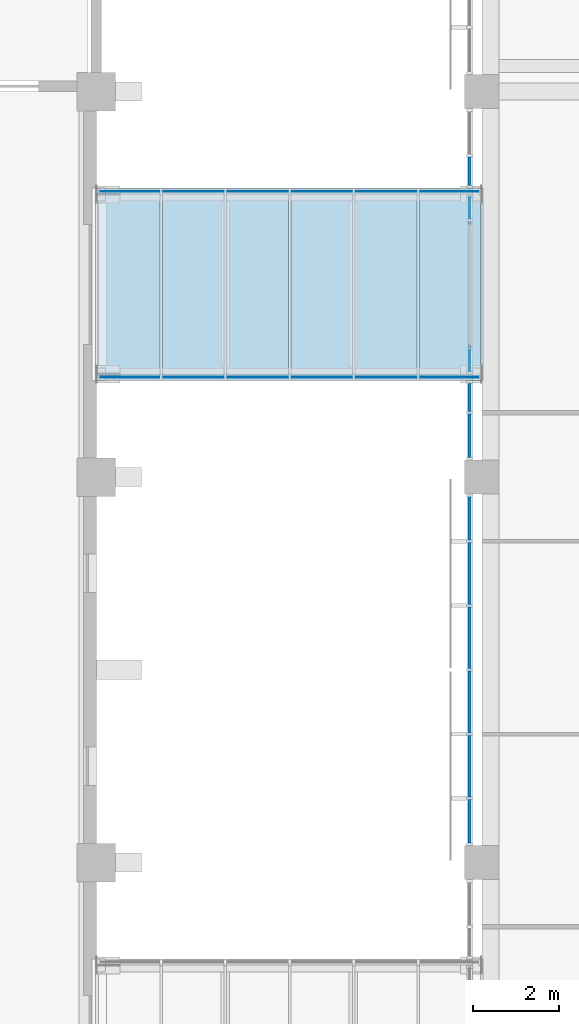
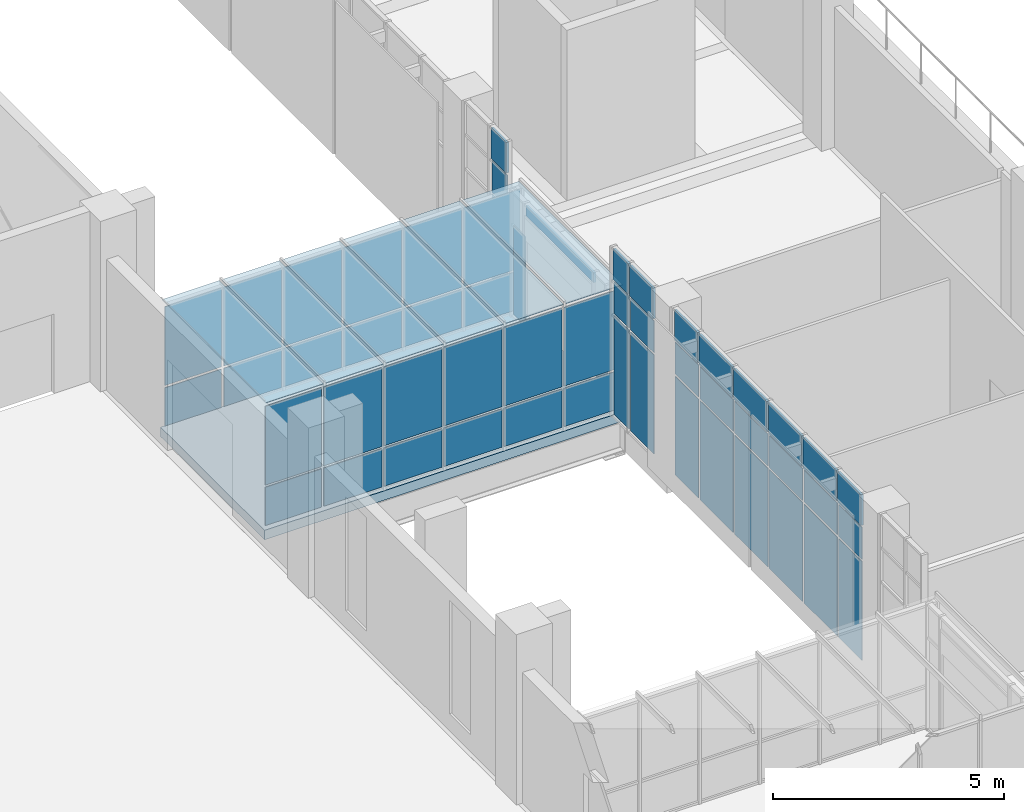
# One storey, part 45 of 88: 60 plates, 1 slab, 7 elements without a shape of their own.
"""IFC4 building model written with IfcOpenShell, lengths in metres."""

import ifcopenshell
import ifcopenshell.guid

model = None  # the IFC model being written
_history = None  # IfcOwnerHistory: only IFC2X3 demands one
_inside = {}  # id of a spatial element -> (the spatial element, [elements in it])
_under = {}  # id of a project, library or spatial element -> (it, [spatial elements below it])
_declared = {}  # id of a project -> (the project, [libraries it declares])
_typed = {}  # id of a type object -> (the type object, [elements of that type])
_made_of = {}  # id of a material, layer set ... -> (it, [elements and type objects made of it])


def new_model(schema):
    """Start an empty IFC model of exactly this schema.

    Asked for "IFC4X3", IfcOpenShell would pick the latest addendum, in which some entities
    have other attributes; the version numbers below select the first issue.
    IFC2X3 requires an IfcOwnerHistory on every rooted entity: one is made here for all.
    """
    global model, _history
    if schema == "IFC4X3":
        model = ifcopenshell.file(schema_version=(4, 3, 0, 0))
    else:
        model = ifcopenshell.file(schema=schema)
    _inside.clear()
    _under.clear()
    _declared.clear()
    _typed.clear()
    _made_of.clear()
    _history = None
    if model.schema == "IFC2X3":
        org = make("IfcOrganization", Name="unknown")
        user = make(
            "IfcPersonAndOrganization",
            ThePerson=make("IfcPerson", FamilyName="unknown"),
            TheOrganization=org,
        )
        app = make(
            "IfcApplication",
            ApplicationDeveloper=org,
            Version="unknown",
            ApplicationFullName="unknown",
            ApplicationIdentifier="unknown",
        )
        _history = make(
            "IfcOwnerHistory",
            OwningUser=user,
            OwningApplication=app,
            ChangeAction="ADDED",
            CreationDate=0,
        )
    return model


def make(cls, **values):
    """One entity of the class cls with the attributes given. An attribute that is None is left unset."""
    return model.create_entity(
        cls, **{name: value for name, value in values.items() if value is not None}
    )


def rooted(cls, **values):
    """An entity with a GlobalId (a new one), such as an element, a storey or a relation."""
    return make(cls, GlobalId=ifcopenshell.guid.new(), OwnerHistory=_history, **values)


def si_unit(unit_type, name, prefix=None):
    """IfcSIUnit, for example si_unit("LENGTHUNIT", "METRE", prefix="MILLI")."""
    return make("IfcSIUnit", UnitType=unit_type, Prefix=prefix, Name=name)


def assignment(units):
    """IfcUnitAssignment: the units of a project."""
    return None if units is None else make("IfcUnitAssignment", Units=units)


def point(xyz):
    """IfcCartesianPoint."""
    return None if xyz is None else make("IfcCartesianPoint", Coordinates=xyz)


def direction(xyz):
    """IfcDirection."""
    return None if xyz is None else make("IfcDirection", DirectionRatios=xyz)


def frame(location, z_axis=None, x_axis=None):
    """IfcAxis2Placement3D, a coordinate frame: its origin and axes. An axis left out is left unset."""
    return make(
        "IfcAxis2Placement3D",
        Location=point(location),
        Axis=direction(z_axis),
        RefDirection=direction(x_axis),
    )


def frame_2d(location, x_axis=None):
    """IfcAxis2Placement2D, a coordinate frame in the plane: its origin and x axis."""
    return make(
        "IfcAxis2Placement2D", Location=point(location), RefDirection=direction(x_axis)
    )


def origin():
    """The frame at (0, 0, 0) with its axes left unset."""
    return frame((0.0, 0.0, 0.0))


def origin_2d():
    """The frame at (0, 0) in the plane with its x axis left unset."""
    return frame_2d((0.0, 0.0))


def place(relative_to, where):
    """IfcLocalPlacement: puts the frame where relative to a parent placement (None: the world)."""
    return make(
        "IfcLocalPlacement", PlacementRelTo=relative_to, RelativePlacement=where
    )


def context(
    kind, dimensions, precision=None, world=None, true_north=None, identifier=None
):
    """IfcGeometricRepresentationContext, for example the 3D "Model" context."""
    return make(
        "IfcGeometricRepresentationContext",
        ContextIdentifier=identifier,
        ContextType=kind,
        CoordinateSpaceDimension=dimensions,
        Precision=precision,
        WorldCoordinateSystem=world,
        TrueNorth=true_north,
    )


def subcontext(parent, identifier, kind, view, scale=None):
    """IfcGeometricRepresentationSubContext, for example "Body" below "Model"."""
    return make(
        "IfcGeometricRepresentationSubContext",
        ContextIdentifier=identifier,
        ContextType=kind,
        ParentContext=parent,
        TargetScale=scale,
        TargetView=view,
    )


def project(units=None, contexts=None):
    """IfcProject with its units and contexts."""
    return rooted(
        "IfcProject",
        Name="project",
        RepresentationContexts=contexts,
        UnitsInContext=assignment(units),
    )


def spatial(cls, under=None, at=None, **own):
    """A site, building, storey or space (cls), placed at a placement, below another one or the project."""
    s = rooted(cls, ObjectPlacement=at, **own)
    if under is not None:
        _under.setdefault(under.id(), (under, []))[1].append(s)
    return s


def polyline(points):
    """IfcPolyline through the points."""
    return make("IfcPolyline", Points=[point(p) for p in points])


def profile(cls, at=None, kind="AREA", **sizes):
    """A parametric profile (cls). Its sizes go by their IFC names, for example OverallWidth=200.0."""
    return make(cls, ProfileType=kind, Position=at, **sizes)


def rectangle(**sizes):
    """IfcRectangleProfileDef."""
    return profile("IfcRectangleProfileDef", **sizes)


def outline(outer, holes=None, kind="AREA"):
    """IfcArbitraryClosedProfileDef: a profile drawn as a closed curve; with holes, ...WithVoids."""
    if holes is None:
        return make("IfcArbitraryClosedProfileDef", ProfileType=kind, OuterCurve=outer)
    return make(
        "IfcArbitraryProfileDefWithVoids",
        ProfileType=kind,
        OuterCurve=outer,
        InnerCurves=holes,
    )


def extrude(swept, where, along, depth):
    """IfcExtrudedAreaSolid: the profile swept, set in the frame where, extruded along a direction by depth."""
    return make(
        "IfcExtrudedAreaSolid",
        SweptArea=swept,
        Position=where,
        ExtrudedDirection=direction(along),
        Depth=depth,
    )


def shape(context_of_items, identifier, shape_type, items):
    """IfcShapeRepresentation: the items that make up one representation, for example the "Body"."""
    return make(
        "IfcShapeRepresentation",
        ContextOfItems=context_of_items,
        RepresentationIdentifier=identifier,
        RepresentationType=shape_type,
        Items=items,
    )


def material(Name=None, Category=None):
    """IfcMaterial."""
    return make("IfcMaterial", Name=Name, Category=Category)


def layer(
    of_material, thickness, ventilated=None, Name=None, Category=None, Priority=None
):
    """IfcMaterialLayer: one layer of a wall or slab, of a material (None: an air gap)."""
    return make(
        "IfcMaterialLayer",
        Material=of_material,
        LayerThickness=thickness,
        IsVentilated=ventilated,
        Name=Name,
        Category=Category,
        Priority=Priority,
    )


def layer_set(layers, Name=None):
    """IfcMaterialLayerSet."""
    return make("IfcMaterialLayerSet", MaterialLayers=layers, LayerSetName=Name)


def made_of(thing, what):
    """Note that an element or type object is made of a material, layer set ...; save() writes the relation."""
    if what is not None:
        _made_of.setdefault(what.id(), (what, []))[1].append(thing)
    return thing


def type_object(cls, material=None, **own):
    """A type object (cls), such as IfcWallType, which elements share."""
    return made_of(rooted(cls, **own), material)


def element(
    cls,
    number,
    at=None,
    inside=None,
    cuts=None,
    type_object=None,
    material=None,
    context=None,
    identifier="Body",
    shape_type=None,
    held_by="IfcProductDefinitionShape",
    body=None,
    shapes=None,
    **own,
):
    """One element of the class cls, such as IfcWall. Its Tag is "e" and its number.

    at: its placement. inside: the storey or other place that contains it. cuts: it is an
    opening in that element (IfcRelVoidsElement). A single representation is given by context,
    identifier, shape_type and body (its items); several are given by shapes. held_by: the class
    of the entity that holds the representations. save() writes the other relations.
    """
    e = rooted(cls, Tag="e%d" % number, ObjectPlacement=at, **own)
    if body is not None:
        shapes = [shape(context, identifier, shape_type, body)]
    if shapes is not None:
        e.Representation = make(held_by, Representations=shapes)
    if inside is not None:
        _inside.setdefault(inside.id(), (inside, []))[1].append(e)
    if cuts is not None:
        rooted(
            "IfcRelVoidsElement", RelatingBuildingElement=cuts, RelatedOpeningElement=e
        )
    if type_object is not None:
        _typed.setdefault(type_object.id(), (type_object, []))[1].append(e)
    return made_of(e, material)


def aggregate(whole, parts):
    """IfcRelAggregates: a whole, such as a stair, and the parts it consists of."""
    return rooted("IfcRelAggregates", RelatingObject=whole, RelatedObjects=parts)


def save(model, path):
    """Write the relations noted so far, then the file.

    IfcRelAggregates (storeys below a building ...), IfcRelContainedInSpatialStructure (elements
    in a storey), IfcRelDefinesByType, IfcRelAssociatesMaterial and IfcRelDeclares: one each for
    every whole, place, type object, material and project.
    """
    for whole, parts in _under.values():
        aggregate(whole, parts)
    for where, things in _inside.values():
        rooted(
            "IfcRelContainedInSpatialStructure",
            RelatedElements=things,
            RelatingStructure=where,
        )
    for kind, things in _typed.values():
        rooted("IfcRelDefinesByType", RelatedObjects=things, RelatingType=kind)
    for what, things in _made_of.values():
        rooted("IfcRelAssociatesMaterial", RelatedObjects=things, RelatingMaterial=what)
    for by, libraries in _declared.values():
        rooted("IfcRelDeclares", RelatingContext=by, RelatedDefinitions=libraries)
    model.write(path)


model = new_model("IFC4")

# Units and contexts
model_context = context("Model", 3, precision=1e-05, world=origin(), true_north=direction((0.0, 1.0)))
body_context = subcontext(model_context, "Body", "Model", "MODEL_VIEW")
ifc_project = project(units=[si_unit("LENGTHUNIT", "METRE"), si_unit("AREAUNIT", "SQUARE_METRE"), si_unit("VOLUMEUNIT", "CUBIC_METRE"), si_unit("PLANEANGLEUNIT", "RADIAN"), si_unit("MASSUNIT", "GRAM", prefix="KILO")], contexts=[model_context])

# Site, building, storey
site_placement = place(None, origin())
site = spatial("IfcSite", under=ifc_project, at=site_placement, CompositionType="ELEMENT")
building_placement = place(site_placement, origin())
building = spatial("IfcBuilding", under=site, at=building_placement, Name="Guidao Yard Department Store", CompositionType="ELEMENT")
storey_placement = place(building_placement, frame((0.0, 0.0, 6.0)))
storey = spatial("IfcBuildingStorey", under=building, at=storey_placement, Name="L01", CompositionType="ELEMENT", Elevation=6.0)

# Slab
ifc_material_1 = material(Name="Concrete C35", Category="concrete")
ifc_layer_1 = layer(ifc_material_1, 0.25)
ifc_layer_set_1 = layer_set([ifc_layer_1], Name="Bridge deck slab 250 C35")
slab_type = type_object("IfcSlabType", Name="Bridge deck slab 250 C35", PredefinedType="FLOOR", material=ifc_layer_set_1)
slab_placement = place(storey_placement, frame((0.0, 0.0, -0.25)))
element("IfcSlab", 1, at=slab_placement, inside=storey, type_object=slab_type, Name="Slab BR02", PredefinedType="FLOOR", context=body_context, shape_type="SweptSolid", body=[
    extrude(outline(polyline([(63.014892578125, 74.25), (63.014892578125, 78.75), (72.0, 78.75), (72.0, 74.25), (63.014892578125, 74.25)])), origin(), (0.0, 0.0, 1.0), 0.25),
])

# Curtain wall, plates
ifc_material_2 = material(Name="Aluminium and glass", Category="aluminium")
ifc_layer_2 = layer(ifc_material_2, 0.159912109375)
ifc_layer_set_2 = layer_set([ifc_layer_2], Name="Bridge glazing CW5 1500 module")
curtain_wall_type_1 = type_object("IfcCurtainWallType", Name="Bridge glazing CW5 1500 module", PredefinedType="NOTDEFINED", material=ifc_layer_set_2)
curtain_wall_1_placement = place(storey_placement, origin())
curtain_wall_1 = element("IfcCurtainWall", 2, at=curtain_wall_1_placement, inside=storey, type_object=curtain_wall_type_1, Name="Bridge roof glazing BR02", PredefinedType="NOTDEFINED")
ifc_material_3 = material(Name="Laminated glass", Category="glass")
ifc_layer_3 = layer(ifc_material_3, 0.017578125)
ifc_layer_set_3 = layer_set([ifc_layer_3], Name="Bridge roof glass BG1 laminated 8+8 fritted")
plate_type_1 = type_object("IfcPlateType", Name="Bridge roof glass BG1 laminated 8+8 fritted", PredefinedType="CURTAIN_PANEL", material=ifc_layer_set_3)
plate_1_placement = place(storey_placement, frame((63.764892578125, 76.5, 3.34130859375), z_axis=(0.0, 0.0, 1.0), x_axis=(1.0, 0.0, 0.0)))
plate_1 = element("IfcPlate", 3, at=plate_1_placement, type_object=plate_type_1, Name="Bridge roof glass BR02", PredefinedType="CURTAIN_PANEL", context=body_context, shape_type="SweptSolid", body=[
    extrude(rectangle(XDim=1.43994140625, YDim=4.5, at=origin_2d()), origin(), (0.0, 0.0, 1.0), 0.017578125),
])
plate_2_placement = place(storey_placement, frame((65.264892578125, 76.5, 3.34130859375), z_axis=(0.0, 0.0, 1.0), x_axis=(1.0, 0.0, 0.0)))
plate_2 = element("IfcPlate", 4, at=plate_2_placement, type_object=plate_type_1, Name="Bridge roof glass BR02", PredefinedType="CURTAIN_PANEL", context=body_context, shape_type="SweptSolid", body=[
    extrude(rectangle(XDim=1.43994140625, YDim=4.5, at=origin_2d()), origin(), (0.0, 0.0, 1.0), 0.017578125),
])
plate_3_placement = place(storey_placement, frame((66.764892578125, 76.5, 3.34130859375), z_axis=(0.0, 0.0, 1.0), x_axis=(1.0, 0.0, 0.0)))
plate_3 = element("IfcPlate", 5, at=plate_3_placement, type_object=plate_type_1, Name="Bridge roof glass BR02", PredefinedType="CURTAIN_PANEL", context=body_context, shape_type="SweptSolid", body=[
    extrude(rectangle(XDim=1.43994140625, YDim=4.5, at=origin_2d()), origin(), (0.0, 0.0, 1.0), 0.017578125),
])
plate_4_placement = place(storey_placement, frame((68.264892578125, 76.5, 3.34130859375), z_axis=(0.0, 0.0, 1.0), x_axis=(1.0, 0.0, 0.0)))
plate_4 = element("IfcPlate", 6, at=plate_4_placement, type_object=plate_type_1, Name="Bridge roof glass BR02", PredefinedType="CURTAIN_PANEL", context=body_context, shape_type="SweptSolid", body=[
    extrude(rectangle(XDim=1.43994140625, YDim=4.5, at=origin_2d()), origin(), (0.0, 0.0, 1.0), 0.017578125),
])
plate_5_placement = place(storey_placement, frame((69.764892578125, 76.5, 3.34130859375), z_axis=(0.0, 0.0, 1.0), x_axis=(1.0, 0.0, 0.0)))
plate_5 = element("IfcPlate", 7, at=plate_5_placement, type_object=plate_type_1, Name="Bridge roof glass BR02", PredefinedType="CURTAIN_PANEL", context=body_context, shape_type="SweptSolid", body=[
    extrude(rectangle(XDim=1.43994140625, YDim=4.5, at=origin_2d()), origin(), (0.0, 0.0, 1.0), 0.017578125),
])
plate_6_placement = place(storey_placement, frame((71.257568359375, 76.5, 3.34130859375), z_axis=(0.0, 0.0, 1.0), x_axis=(1.0, 0.0, 0.0)))
plate_6 = element("IfcPlate", 8, at=plate_6_placement, type_object=plate_type_1, Name="Bridge roof glass BR02", PredefinedType="CURTAIN_PANEL", context=body_context, shape_type="SweptSolid", body=[
    extrude(rectangle(XDim=1.425048828125, YDim=4.5, at=origin_2d()), origin(), (0.0, 0.0, 1.0), 0.017578125),
])
aggregate(curtain_wall_1, [plate_1, plate_2, plate_3, plate_4, plate_5, plate_6])

ifc_material_4 = material(Name="Aluminium and glass", Category="aluminium")
ifc_layer_4 = layer(ifc_material_4, 0.159912109375)
ifc_layer_set_4 = layer_set([ifc_layer_4], Name="Shopfront curtain wall CW1 1500 module")
curtain_wall_type_2 = type_object("IfcCurtainWallType", Name="Shopfront curtain wall CW1 1500 module", PredefinedType="NOTDEFINED", material=ifc_layer_set_4)
curtain_wall_2_placement = place(storey_placement, origin())
curtain_wall_2 = element("IfcCurtainWall", 9, at=curtain_wall_2_placement, inside=storey, type_object=curtain_wall_type_2, Name="Arcade shop front", PredefinedType="NOTDEFINED")
ifc_material_5 = material(Name="Aluminium 6063-T5 faced insulated spandrel", Category="aluminium")
ifc_layer_5 = layer(ifc_material_5, 0.06005859375)
ifc_layer_set_5 = layer_set([ifc_layer_5], Name="Spandrel panel SP1 insulated opaque")
plate_type_2 = type_object("IfcPlateType", Name="Spandrel panel SP1 insulated opaque", PredefinedType="CURTAIN_PANEL", material=ifc_layer_set_5)
plate_7_placement = place(storey_placement, frame((71.719970703125, 63.965087890625, 3.6298828125), z_axis=(0.0, 0.0, 1.0), x_axis=(0.0, 1.0, 0.0)))
plate_7 = element("IfcPlate", 10, at=plate_7_placement, type_object=plate_type_2, Name="CW-AS-L01-05 panel 1.3", PredefinedType="CURTAIN_PANEL", context=body_context, shape_type="SweptSolid", body=[
    extrude(rectangle(XDim=1.010009765625, YDim=0.06005859375, at=origin_2d()), origin(), (0.0, 0.0, 1.0), 0.81005859375),
])
plate_8_placement = place(storey_placement, frame((71.719970703125, 65.25, 3.6298828125), z_axis=(0.0, 0.0, 1.0), x_axis=(0.0, 1.0, 0.0)))
plate_8 = element("IfcPlate", 11, at=plate_8_placement, type_object=plate_type_2, Name="CW-AS-L01-05 panel 2.3", PredefinedType="CURTAIN_PANEL", context=body_context, shape_type="SweptSolid", body=[
    extrude(rectangle(XDim=1.43994140625, YDim=0.06005859375, at=origin_2d()), origin(), (0.0, 0.0, 1.0), 0.81005859375),
])
plate_9_placement = place(storey_placement, frame((71.719970703125, 66.75, 3.6298828125), z_axis=(0.0, 0.0, 1.0), x_axis=(0.0, 1.0, 0.0)))
plate_9 = element("IfcPlate", 12, at=plate_9_placement, type_object=plate_type_2, Name="CW-AS-L01-05 panel 3.3", PredefinedType="CURTAIN_PANEL", context=body_context, shape_type="SweptSolid", body=[
    extrude(rectangle(XDim=1.43994140625, YDim=0.06005859375, at=origin_2d()), origin(), (0.0, 0.0, 1.0), 0.81005859375),
])
plate_10_placement = place(storey_placement, frame((71.719970703125, 68.25, 3.6298828125), z_axis=(0.0, 0.0, 1.0), x_axis=(0.0, 1.0, 0.0)))
plate_10 = element("IfcPlate", 13, at=plate_10_placement, type_object=plate_type_2, Name="CW-AS-L01-05 panel 4.3", PredefinedType="CURTAIN_PANEL", context=body_context, shape_type="SweptSolid", body=[
    extrude(rectangle(XDim=1.43994140625, YDim=0.06005859375, at=origin_2d()), origin(), (0.0, 0.0, 1.0), 0.81005859375),
])
plate_11_placement = place(storey_placement, frame((71.719970703125, 69.75, 3.6298828125), z_axis=(0.0, 0.0, 1.0), x_axis=(0.0, 1.0, 0.0)))
plate_11 = element("IfcPlate", 14, at=plate_11_placement, type_object=plate_type_2, Name="CW-AS-L01-05 panel 5.3", PredefinedType="CURTAIN_PANEL", context=body_context, shape_type="SweptSolid", body=[
    extrude(rectangle(XDim=1.43994140625, YDim=0.06005859375, at=origin_2d()), origin(), (0.0, 0.0, 1.0), 0.81005859375),
])
plate_12_placement = place(storey_placement, frame((71.719970703125, 71.034912109375, 3.6298828125), z_axis=(0.0, 0.0, 1.0), x_axis=(0.0, 1.0, 0.0)))
plate_12 = element("IfcPlate", 15, at=plate_12_placement, type_object=plate_type_2, Name="CW-AS-L01-05 panel 6.3", PredefinedType="CURTAIN_PANEL", context=body_context, shape_type="SweptSolid", body=[
    extrude(rectangle(XDim=1.010009765625, YDim=0.06005859375, at=origin_2d()), origin(), (0.0, 0.0, 1.0), 0.81005859375),
])

curtain_wall_3_placement = place(storey_placement, origin())
curtain_wall_3 = element("IfcCurtainWall", 16, at=curtain_wall_3_placement, inside=storey, type_object=curtain_wall_type_2, Name="Arcade shop front", PredefinedType="NOTDEFINED")
plate_13_placement = place(storey_placement, frame((71.719970703125, 72.965087890625, 3.6298828125), z_axis=(0.0, 0.0, 1.0), x_axis=(0.0, 1.0, 0.0)))
plate_13 = element("IfcPlate", 17, at=plate_13_placement, type_object=plate_type_2, Name="CW-AS-L01-06 panel 1.3", PredefinedType="CURTAIN_PANEL", context=body_context, shape_type="SweptSolid", body=[
    extrude(rectangle(XDim=1.010009765625, YDim=0.06005859375, at=origin_2d()), origin(), (0.0, 0.0, 1.0), 0.81005859375),
])
plate_14_placement = place(storey_placement, frame((71.719970703125, 73.860107421875, 3.6298828125), z_axis=(0.0, 0.0, 1.0), x_axis=(0.0, 1.0, 0.0)))
plate_14 = element("IfcPlate", 18, at=plate_14_placement, type_object=plate_type_2, Name="CW-AS-L01-06 panel 2.3", PredefinedType="CURTAIN_PANEL", context=body_context, shape_type="SweptSolid", body=[
    extrude(rectangle(XDim=0.659912109375, YDim=0.06005859375, at=origin_2d()), origin(), (0.0, 0.0, 1.0), 0.81005859375),
])

# Curtain wall, plate
curtain_wall_4_placement = place(storey_placement, origin())
curtain_wall_4 = element("IfcCurtainWall", 19, at=curtain_wall_4_placement, inside=storey, type_object=curtain_wall_type_2, Name="Arcade shop front", PredefinedType="NOTDEFINED")
plate_15_placement = place(storey_placement, frame((71.719970703125, 76.5, 3.02978515625), z_axis=(0.0, 0.0, 1.0), x_axis=(0.0, 1.0, 0.0)))
plate_15 = element("IfcPlate", 20, at=plate_15_placement, type_object=plate_type_2, Name="CW-AS-L01-07 panel 2.2", PredefinedType="CURTAIN_PANEL", context=body_context, shape_type="SweptSolid", body=[
    extrude(rectangle(XDim=2.93994140625, YDim=0.06005859375, at=origin_2d()), origin(), (0.0, 0.0, 1.0), 0.260009765625),
])

curtain_wall_5_placement = place(storey_placement, origin())
curtain_wall_5 = element("IfcCurtainWall", 21, at=curtain_wall_5_placement, inside=storey, type_object=curtain_wall_type_2, Name="Arcade shop front", PredefinedType="NOTDEFINED")
plate_16_placement = place(storey_placement, frame((71.719970703125, 79.139892578125, 3.6298828125), z_axis=(0.0, 0.0, 1.0), x_axis=(0.0, 1.0, 0.0)))
plate_16 = element("IfcPlate", 22, at=plate_16_placement, type_object=plate_type_2, Name="CW-AS-L01-08 panel 1.3", PredefinedType="CURTAIN_PANEL", context=body_context, shape_type="SweptSolid", body=[
    extrude(rectangle(XDim=0.659912109375, YDim=0.06005859375, at=origin_2d()), origin(), (0.0, 0.0, 1.0), 0.81005859375),
])

# Plate
ifc_material_6 = material(Name="Laminated heat-soaked tempered glass", Category="glass")
ifc_layer_6 = layer(ifc_material_6, 0.017578125)
ifc_layer_set_6 = layer_set([ifc_layer_6], Name="Vision glass VG1 laminated heat-soaked tempered 8+8")
plate_type_3 = type_object("IfcPlateType", Name="Vision glass VG1 laminated heat-soaked tempered 8+8", PredefinedType="CURTAIN_PANEL", material=ifc_layer_set_6)
plate_17_placement = place(storey_placement, frame((71.719970703125, 63.965087890625, 0.06005859375), z_axis=(0.0, 0.0, 1.0), x_axis=(0.0, 1.0, 0.0)))
plate_17 = element("IfcPlate", 23, at=plate_17_placement, type_object=plate_type_3, Name="CW-AS-L01-05 panel 1.1", PredefinedType="CURTAIN_PANEL", context=body_context, shape_type="SweptSolid", body=[
    extrude(rectangle(XDim=1.010009765625, YDim=0.017578125, at=origin_2d()), origin(), (0.0, 0.0, 1.0), 2.610107421875),
])

plate_18_placement = place(storey_placement, frame((71.719970703125, 63.965087890625, 2.72998046875), z_axis=(0.0, 0.0, 1.0), x_axis=(0.0, 1.0, 0.0)))
plate_18 = element("IfcPlate", 24, at=plate_18_placement, type_object=plate_type_3, Name="CW-AS-L01-05 panel 1.2", PredefinedType="CURTAIN_PANEL", context=body_context, shape_type="SweptSolid", body=[
    extrude(rectangle(XDim=1.010009765625, YDim=0.017578125, at=origin_2d()), origin(), (0.0, 0.0, 1.0), 0.840087890625),
])

plate_19_placement = place(storey_placement, frame((71.719970703125, 65.25, 0.06005859375), z_axis=(0.0, 0.0, 1.0), x_axis=(0.0, 1.0, 0.0)))
plate_19 = element("IfcPlate", 25, at=plate_19_placement, type_object=plate_type_3, Name="CW-AS-L01-05 panel 2.1", PredefinedType="CURTAIN_PANEL", context=body_context, shape_type="SweptSolid", body=[
    extrude(rectangle(XDim=1.43994140625, YDim=0.017578125, at=origin_2d()), origin(), (0.0, 0.0, 1.0), 2.610107421875),
])

plate_20_placement = place(storey_placement, frame((71.719970703125, 65.25, 2.72998046875), z_axis=(0.0, 0.0, 1.0), x_axis=(0.0, 1.0, 0.0)))
plate_20 = element("IfcPlate", 26, at=plate_20_placement, type_object=plate_type_3, Name="CW-AS-L01-05 panel 2.2", PredefinedType="CURTAIN_PANEL", context=body_context, shape_type="SweptSolid", body=[
    extrude(rectangle(XDim=1.43994140625, YDim=0.017578125, at=origin_2d()), origin(), (0.0, 0.0, 1.0), 0.840087890625),
])

plate_21_placement = place(storey_placement, frame((71.719970703125, 66.75, 0.06005859375), z_axis=(0.0, 0.0, 1.0), x_axis=(0.0, 1.0, 0.0)))
plate_21 = element("IfcPlate", 27, at=plate_21_placement, type_object=plate_type_3, Name="CW-AS-L01-05 panel 3.1", PredefinedType="CURTAIN_PANEL", context=body_context, shape_type="SweptSolid", body=[
    extrude(rectangle(XDim=1.43994140625, YDim=0.017578125, at=origin_2d()), origin(), (0.0, 0.0, 1.0), 2.610107421875),
])

plate_22_placement = place(storey_placement, frame((71.719970703125, 66.75, 2.72998046875), z_axis=(0.0, 0.0, 1.0), x_axis=(0.0, 1.0, 0.0)))
plate_22 = element("IfcPlate", 28, at=plate_22_placement, type_object=plate_type_3, Name="CW-AS-L01-05 panel 3.2", PredefinedType="CURTAIN_PANEL", context=body_context, shape_type="SweptSolid", body=[
    extrude(rectangle(XDim=1.43994140625, YDim=0.017578125, at=origin_2d()), origin(), (0.0, 0.0, 1.0), 0.840087890625),
])

plate_23_placement = place(storey_placement, frame((71.719970703125, 68.25, 0.06005859375), z_axis=(0.0, 0.0, 1.0), x_axis=(0.0, 1.0, 0.0)))
plate_23 = element("IfcPlate", 29, at=plate_23_placement, type_object=plate_type_3, Name="CW-AS-L01-05 panel 4.1", PredefinedType="CURTAIN_PANEL", context=body_context, shape_type="SweptSolid", body=[
    extrude(rectangle(XDim=1.43994140625, YDim=0.017578125, at=origin_2d()), origin(), (0.0, 0.0, 1.0), 2.610107421875),
])

plate_24_placement = place(storey_placement, frame((71.719970703125, 68.25, 2.72998046875), z_axis=(0.0, 0.0, 1.0), x_axis=(0.0, 1.0, 0.0)))
plate_24 = element("IfcPlate", 30, at=plate_24_placement, type_object=plate_type_3, Name="CW-AS-L01-05 panel 4.2", PredefinedType="CURTAIN_PANEL", context=body_context, shape_type="SweptSolid", body=[
    extrude(rectangle(XDim=1.43994140625, YDim=0.017578125, at=origin_2d()), origin(), (0.0, 0.0, 1.0), 0.840087890625),
])

plate_25_placement = place(storey_placement, frame((71.719970703125, 69.75, 0.06005859375), z_axis=(0.0, 0.0, 1.0), x_axis=(0.0, 1.0, 0.0)))
plate_25 = element("IfcPlate", 31, at=plate_25_placement, type_object=plate_type_3, Name="CW-AS-L01-05 panel 5.1", PredefinedType="CURTAIN_PANEL", context=body_context, shape_type="SweptSolid", body=[
    extrude(rectangle(XDim=1.43994140625, YDim=0.017578125, at=origin_2d()), origin(), (0.0, 0.0, 1.0), 2.610107421875),
])

plate_26_placement = place(storey_placement, frame((71.719970703125, 69.75, 2.72998046875), z_axis=(0.0, 0.0, 1.0), x_axis=(0.0, 1.0, 0.0)))
plate_26 = element("IfcPlate", 32, at=plate_26_placement, type_object=plate_type_3, Name="CW-AS-L01-05 panel 5.2", PredefinedType="CURTAIN_PANEL", context=body_context, shape_type="SweptSolid", body=[
    extrude(rectangle(XDim=1.43994140625, YDim=0.017578125, at=origin_2d()), origin(), (0.0, 0.0, 1.0), 0.840087890625),
])

plate_27_placement = place(storey_placement, frame((71.719970703125, 71.034912109375, 0.06005859375), z_axis=(0.0, 0.0, 1.0), x_axis=(0.0, 1.0, 0.0)))
plate_27 = element("IfcPlate", 33, at=plate_27_placement, type_object=plate_type_3, Name="CW-AS-L01-05 panel 6.1", PredefinedType="CURTAIN_PANEL", context=body_context, shape_type="SweptSolid", body=[
    extrude(rectangle(XDim=1.010009765625, YDim=0.017578125, at=origin_2d()), origin(), (0.0, 0.0, 1.0), 2.610107421875),
])

plate_28_placement = place(storey_placement, frame((71.719970703125, 71.034912109375, 2.72998046875), z_axis=(0.0, 0.0, 1.0), x_axis=(0.0, 1.0, 0.0)))
plate_28 = element("IfcPlate", 34, at=plate_28_placement, type_object=plate_type_3, Name="CW-AS-L01-05 panel 6.2", PredefinedType="CURTAIN_PANEL", context=body_context, shape_type="SweptSolid", body=[
    extrude(rectangle(XDim=1.010009765625, YDim=0.017578125, at=origin_2d()), origin(), (0.0, 0.0, 1.0), 0.840087890625),
])

aggregate(curtain_wall_2, [plate_17, plate_18, plate_7, plate_19, plate_20, plate_8, plate_21, plate_22, plate_9, plate_23, plate_24, plate_10, plate_25, plate_26, plate_11, plate_27, plate_28, plate_12])

plate_29_placement = place(storey_placement, frame((71.719970703125, 72.965087890625, 0.06005859375), z_axis=(0.0, 0.0, 1.0), x_axis=(0.0, 1.0, 0.0)))
plate_29 = element("IfcPlate", 35, at=plate_29_placement, type_object=plate_type_3, Name="CW-AS-L01-06 panel 1.1", PredefinedType="CURTAIN_PANEL", context=body_context, shape_type="SweptSolid", body=[
    extrude(rectangle(XDim=1.010009765625, YDim=0.017578125, at=origin_2d()), origin(), (0.0, 0.0, 1.0), 2.610107421875),
])

plate_30_placement = place(storey_placement, frame((71.719970703125, 72.965087890625, 2.72998046875), z_axis=(0.0, 0.0, 1.0), x_axis=(0.0, 1.0, 0.0)))
plate_30 = element("IfcPlate", 36, at=plate_30_placement, type_object=plate_type_3, Name="CW-AS-L01-06 panel 1.2", PredefinedType="CURTAIN_PANEL", context=body_context, shape_type="SweptSolid", body=[
    extrude(rectangle(XDim=1.010009765625, YDim=0.017578125, at=origin_2d()), origin(), (0.0, 0.0, 1.0), 0.840087890625),
])

plate_31_placement = place(storey_placement, frame((71.719970703125, 73.860107421875, 0.06005859375), z_axis=(0.0, 0.0, 1.0), x_axis=(0.0, 1.0, 0.0)))
plate_31 = element("IfcPlate", 37, at=plate_31_placement, type_object=plate_type_3, Name="CW-AS-L01-06 panel 2.1", PredefinedType="CURTAIN_PANEL", context=body_context, shape_type="SweptSolid", body=[
    extrude(rectangle(XDim=0.659912109375, YDim=0.017578125, at=origin_2d()), origin(), (0.0, 0.0, 1.0), 2.610107421875),
])

plate_32_placement = place(storey_placement, frame((71.719970703125, 73.860107421875, 2.72998046875), z_axis=(0.0, 0.0, 1.0), x_axis=(0.0, 1.0, 0.0)))
plate_32 = element("IfcPlate", 38, at=plate_32_placement, type_object=plate_type_3, Name="CW-AS-L01-06 panel 2.2", PredefinedType="CURTAIN_PANEL", context=body_context, shape_type="SweptSolid", body=[
    extrude(rectangle(XDim=0.659912109375, YDim=0.017578125, at=origin_2d()), origin(), (0.0, 0.0, 1.0), 0.840087890625),
])

aggregate(curtain_wall_3, [plate_29, plate_30, plate_13, plate_31, plate_32, plate_14])

plate_33_placement = place(storey_placement, frame((71.719970703125, 74.719970703125, 0.06005859375), z_axis=(0.0, 0.0, 1.0), x_axis=(0.0, 1.0, 0.0)))
plate_33 = element("IfcPlate", 39, at=plate_33_placement, type_object=plate_type_3, Name="CW-AS-L01-07 panel 1.1", PredefinedType="CURTAIN_PANEL", context=body_context, shape_type="SweptSolid", body=[
    extrude(rectangle(XDim=0.5, YDim=0.017578125, at=origin_2d()), origin(), (0.0, 0.0, 1.0), 2.360107421875),
])

plate_34_placement = place(storey_placement, frame((71.719970703125, 78.280029296875, 0.06005859375), z_axis=(0.0, 0.0, 1.0), x_axis=(0.0, 1.0, 0.0)))
plate_34 = element("IfcPlate", 40, at=plate_34_placement, type_object=plate_type_3, Name="CW-AS-L01-07 panel 3.1", PredefinedType="CURTAIN_PANEL", context=body_context, shape_type="SweptSolid", body=[
    extrude(rectangle(XDim=0.5, YDim=0.017578125, at=origin_2d()), origin(), (0.0, 0.0, 1.0), 2.360107421875),
])

aggregate(curtain_wall_4, [plate_33, plate_15, plate_34])

plate_35_placement = place(storey_placement, frame((71.719970703125, 79.139892578125, 0.06005859375), z_axis=(0.0, 0.0, 1.0), x_axis=(0.0, 1.0, 0.0)))
plate_35 = element("IfcPlate", 41, at=plate_35_placement, type_object=plate_type_3, Name="CW-AS-L01-08 panel 1.1", PredefinedType="CURTAIN_PANEL", context=body_context, shape_type="SweptSolid", body=[
    extrude(rectangle(XDim=0.659912109375, YDim=0.017578125, at=origin_2d()), origin(), (0.0, 0.0, 1.0), 2.610107421875),
])

plate_36_placement = place(storey_placement, frame((71.719970703125, 79.139892578125, 2.72998046875), z_axis=(0.0, 0.0, 1.0), x_axis=(0.0, 1.0, 0.0)))
plate_36 = element("IfcPlate", 42, at=plate_36_placement, type_object=plate_type_3, Name="CW-AS-L01-08 panel 1.2", PredefinedType="CURTAIN_PANEL", context=body_context, shape_type="SweptSolid", body=[
    extrude(rectangle(XDim=0.659912109375, YDim=0.017578125, at=origin_2d()), origin(), (0.0, 0.0, 1.0), 0.840087890625),
])

aggregate(curtain_wall_5, [plate_35, plate_36, plate_16])

# Curtain wall, plates
curtain_wall_6_placement = place(storey_placement, origin())
curtain_wall_6 = element("IfcCurtainWall", 43, at=curtain_wall_6_placement, inside=storey, type_object=curtain_wall_type_1, Name="Bridge glazing BR02 S", PredefinedType="NOTDEFINED")
plate_37_placement = place(storey_placement, frame((63.780029296875, 74.330078125, 0.06005859375), z_axis=(0.0, 0.0, 1.0), x_axis=(-1.0, 0.0, 0.0)))
plate_37 = element("IfcPlate", 44, at=plate_37_placement, type_object=plate_type_3, Name="CW-S-L01-03 panel 1.1", PredefinedType="CURTAIN_PANEL", context=body_context, shape_type="SweptSolid", body=[
    extrude(rectangle(XDim=1.409912109375, YDim=0.017578125, at=origin_2d()), origin(), (0.0, 0.0, 1.0), 1.010009765625),
])
plate_38_placement = place(storey_placement, frame((63.780029296875, 74.330078125, 1.1298828125), z_axis=(0.0, 0.0, 1.0), x_axis=(-1.0, 0.0, 0.0)))
plate_38 = element("IfcPlate", 45, at=plate_38_placement, type_object=plate_type_3, Name="CW-S-L01-03 panel 1.2", PredefinedType="CURTAIN_PANEL", context=body_context, shape_type="SweptSolid", body=[
    extrude(rectangle(XDim=1.409912109375, YDim=0.017578125, at=origin_2d()), origin(), (0.0, 0.0, 1.0), 2.080078125),
])
plate_39_placement = place(storey_placement, frame((65.264892578125, 74.330078125, 0.06005859375), z_axis=(0.0, 0.0, 1.0), x_axis=(-1.0, 0.0, 0.0)))
plate_39 = element("IfcPlate", 46, at=plate_39_placement, type_object=plate_type_3, Name="CW-S-L01-03 panel 2.1", PredefinedType="CURTAIN_PANEL", context=body_context, shape_type="SweptSolid", body=[
    extrude(rectangle(XDim=1.43994140625, YDim=0.017578125, at=origin_2d()), origin(), (0.0, 0.0, 1.0), 1.010009765625),
])
plate_40_placement = place(storey_placement, frame((65.264892578125, 74.330078125, 1.1298828125), z_axis=(0.0, 0.0, 1.0), x_axis=(-1.0, 0.0, 0.0)))
plate_40 = element("IfcPlate", 47, at=plate_40_placement, type_object=plate_type_3, Name="CW-S-L01-03 panel 2.2", PredefinedType="CURTAIN_PANEL", context=body_context, shape_type="SweptSolid", body=[
    extrude(rectangle(XDim=1.43994140625, YDim=0.017578125, at=origin_2d()), origin(), (0.0, 0.0, 1.0), 2.080078125),
])
plate_41_placement = place(storey_placement, frame((66.764892578125, 74.330078125, 0.06005859375), z_axis=(0.0, 0.0, 1.0), x_axis=(-1.0, 0.0, 0.0)))
plate_41 = element("IfcPlate", 48, at=plate_41_placement, type_object=plate_type_3, Name="CW-S-L01-03 panel 3.1", PredefinedType="CURTAIN_PANEL", context=body_context, shape_type="SweptSolid", body=[
    extrude(rectangle(XDim=1.43994140625, YDim=0.017578125, at=origin_2d()), origin(), (0.0, 0.0, 1.0), 1.010009765625),
])
plate_42_placement = place(storey_placement, frame((66.764892578125, 74.330078125, 1.1298828125), z_axis=(0.0, 0.0, 1.0), x_axis=(-1.0, 0.0, 0.0)))
plate_42 = element("IfcPlate", 49, at=plate_42_placement, type_object=plate_type_3, Name="CW-S-L01-03 panel 3.2", PredefinedType="CURTAIN_PANEL", context=body_context, shape_type="SweptSolid", body=[
    extrude(rectangle(XDim=1.43994140625, YDim=0.017578125, at=origin_2d()), origin(), (0.0, 0.0, 1.0), 2.080078125),
])
plate_43_placement = place(storey_placement, frame((68.264892578125, 74.330078125, 0.06005859375), z_axis=(0.0, 0.0, 1.0), x_axis=(-1.0, 0.0, 0.0)))
plate_43 = element("IfcPlate", 50, at=plate_43_placement, type_object=plate_type_3, Name="CW-S-L01-03 panel 4.1", PredefinedType="CURTAIN_PANEL", context=body_context, shape_type="SweptSolid", body=[
    extrude(rectangle(XDim=1.43994140625, YDim=0.017578125, at=origin_2d()), origin(), (0.0, 0.0, 1.0), 1.010009765625),
])
plate_44_placement = place(storey_placement, frame((68.264892578125, 74.330078125, 1.1298828125), z_axis=(0.0, 0.0, 1.0), x_axis=(-1.0, 0.0, 0.0)))
plate_44 = element("IfcPlate", 51, at=plate_44_placement, type_object=plate_type_3, Name="CW-S-L01-03 panel 4.2", PredefinedType="CURTAIN_PANEL", context=body_context, shape_type="SweptSolid", body=[
    extrude(rectangle(XDim=1.43994140625, YDim=0.017578125, at=origin_2d()), origin(), (0.0, 0.0, 1.0), 2.080078125),
])
plate_45_placement = place(storey_placement, frame((69.764892578125, 74.330078125, 0.06005859375), z_axis=(0.0, 0.0, 1.0), x_axis=(-1.0, 0.0, 0.0)))
plate_45 = element("IfcPlate", 52, at=plate_45_placement, type_object=plate_type_3, Name="CW-S-L01-03 panel 5.1", PredefinedType="CURTAIN_PANEL", context=body_context, shape_type="SweptSolid", body=[
    extrude(rectangle(XDim=1.43994140625, YDim=0.017578125, at=origin_2d()), origin(), (0.0, 0.0, 1.0), 1.010009765625),
])
plate_46_placement = place(storey_placement, frame((69.764892578125, 74.330078125, 1.1298828125), z_axis=(0.0, 0.0, 1.0), x_axis=(-1.0, 0.0, 0.0)))
plate_46 = element("IfcPlate", 53, at=plate_46_placement, type_object=plate_type_3, Name="CW-S-L01-03 panel 5.2", PredefinedType="CURTAIN_PANEL", context=body_context, shape_type="SweptSolid", body=[
    extrude(rectangle(XDim=1.43994140625, YDim=0.017578125, at=origin_2d()), origin(), (0.0, 0.0, 1.0), 2.080078125),
])
plate_47_placement = place(storey_placement, frame((71.242431640625, 74.330078125, 0.06005859375), z_axis=(0.0, 0.0, 1.0), x_axis=(-1.0, 0.0, 0.0)))
plate_47 = element("IfcPlate", 54, at=plate_47_placement, type_object=plate_type_3, Name="CW-S-L01-03 panel 6.1", PredefinedType="CURTAIN_PANEL", context=body_context, shape_type="SweptSolid", body=[
    extrude(rectangle(XDim=1.39501953125, YDim=0.017578125, at=origin_2d()), origin(), (0.0, 0.0, 1.0), 1.010009765625),
])
plate_48_placement = place(storey_placement, frame((71.242431640625, 74.330078125, 1.1298828125), z_axis=(0.0, 0.0, 1.0), x_axis=(-1.0, 0.0, 0.0)))
plate_48 = element("IfcPlate", 55, at=plate_48_placement, type_object=plate_type_3, Name="CW-S-L01-03 panel 6.2", PredefinedType="CURTAIN_PANEL", context=body_context, shape_type="SweptSolid", body=[
    extrude(rectangle(XDim=1.39501953125, YDim=0.017578125, at=origin_2d()), origin(), (0.0, 0.0, 1.0), 2.080078125),
])
aggregate(curtain_wall_6, [plate_37, plate_38, plate_39, plate_40, plate_41, plate_42, plate_43, plate_44, plate_45, plate_46, plate_47, plate_48])

curtain_wall_7_placement = place(storey_placement, origin())
curtain_wall_7 = element("IfcCurtainWall", 56, at=curtain_wall_7_placement, inside=storey, type_object=curtain_wall_type_1, Name="Bridge glazing BR02 N", PredefinedType="NOTDEFINED")
plate_49_placement = place(storey_placement, frame((63.780029296875, 78.669921875, 0.06005859375), z_axis=(0.0, 0.0, 1.0), x_axis=(1.0, 0.0, 0.0)))
plate_49 = element("IfcPlate", 57, at=plate_49_placement, type_object=plate_type_3, Name="CW-N-L01-04 panel 1.1", PredefinedType="CURTAIN_PANEL", context=body_context, shape_type="SweptSolid", body=[
    extrude(rectangle(XDim=1.409912109375, YDim=0.017578125, at=origin_2d()), origin(), (0.0, 0.0, 1.0), 1.010009765625),
])
plate_50_placement = place(storey_placement, frame((63.780029296875, 78.669921875, 1.1298828125), z_axis=(0.0, 0.0, 1.0), x_axis=(1.0, 0.0, 0.0)))
plate_50 = element("IfcPlate", 58, at=plate_50_placement, type_object=plate_type_3, Name="CW-N-L01-04 panel 1.2", PredefinedType="CURTAIN_PANEL", context=body_context, shape_type="SweptSolid", body=[
    extrude(rectangle(XDim=1.409912109375, YDim=0.017578125, at=origin_2d()), origin(), (0.0, 0.0, 1.0), 2.080078125),
])
plate_51_placement = place(storey_placement, frame((65.264892578125, 78.669921875, 0.06005859375), z_axis=(0.0, 0.0, 1.0), x_axis=(1.0, 0.0, 0.0)))
plate_51 = element("IfcPlate", 59, at=plate_51_placement, type_object=plate_type_3, Name="CW-N-L01-04 panel 2.1", PredefinedType="CURTAIN_PANEL", context=body_context, shape_type="SweptSolid", body=[
    extrude(rectangle(XDim=1.43994140625, YDim=0.017578125, at=origin_2d()), origin(), (0.0, 0.0, 1.0), 1.010009765625),
])
plate_52_placement = place(storey_placement, frame((65.264892578125, 78.669921875, 1.1298828125), z_axis=(0.0, 0.0, 1.0), x_axis=(1.0, 0.0, 0.0)))
plate_52 = element("IfcPlate", 60, at=plate_52_placement, type_object=plate_type_3, Name="CW-N-L01-04 panel 2.2", PredefinedType="CURTAIN_PANEL", context=body_context, shape_type="SweptSolid", body=[
    extrude(rectangle(XDim=1.43994140625, YDim=0.017578125, at=origin_2d()), origin(), (0.0, 0.0, 1.0), 2.080078125),
])
plate_53_placement = place(storey_placement, frame((66.764892578125, 78.669921875, 0.06005859375), z_axis=(0.0, 0.0, 1.0), x_axis=(1.0, 0.0, 0.0)))
plate_53 = element("IfcPlate", 61, at=plate_53_placement, type_object=plate_type_3, Name="CW-N-L01-04 panel 3.1", PredefinedType="CURTAIN_PANEL", context=body_context, shape_type="SweptSolid", body=[
    extrude(rectangle(XDim=1.43994140625, YDim=0.017578125, at=origin_2d()), origin(), (0.0, 0.0, 1.0), 1.010009765625),
])
plate_54_placement = place(storey_placement, frame((66.764892578125, 78.669921875, 1.1298828125), z_axis=(0.0, 0.0, 1.0), x_axis=(1.0, 0.0, 0.0)))
plate_54 = element("IfcPlate", 62, at=plate_54_placement, type_object=plate_type_3, Name="CW-N-L01-04 panel 3.2", PredefinedType="CURTAIN_PANEL", context=body_context, shape_type="SweptSolid", body=[
    extrude(rectangle(XDim=1.43994140625, YDim=0.017578125, at=origin_2d()), origin(), (0.0, 0.0, 1.0), 2.080078125),
])
plate_55_placement = place(storey_placement, frame((68.264892578125, 78.669921875, 0.06005859375), z_axis=(0.0, 0.0, 1.0), x_axis=(1.0, 0.0, 0.0)))
plate_55 = element("IfcPlate", 63, at=plate_55_placement, type_object=plate_type_3, Name="CW-N-L01-04 panel 4.1", PredefinedType="CURTAIN_PANEL", context=body_context, shape_type="SweptSolid", body=[
    extrude(rectangle(XDim=1.43994140625, YDim=0.017578125, at=origin_2d()), origin(), (0.0, 0.0, 1.0), 1.010009765625),
])
plate_56_placement = place(storey_placement, frame((68.264892578125, 78.669921875, 1.1298828125), z_axis=(0.0, 0.0, 1.0), x_axis=(1.0, 0.0, 0.0)))
plate_56 = element("IfcPlate", 64, at=plate_56_placement, type_object=plate_type_3, Name="CW-N-L01-04 panel 4.2", PredefinedType="CURTAIN_PANEL", context=body_context, shape_type="SweptSolid", body=[
    extrude(rectangle(XDim=1.43994140625, YDim=0.017578125, at=origin_2d()), origin(), (0.0, 0.0, 1.0), 2.080078125),
])
plate_57_placement = place(storey_placement, frame((69.764892578125, 78.669921875, 0.06005859375), z_axis=(0.0, 0.0, 1.0), x_axis=(1.0, 0.0, 0.0)))
plate_57 = element("IfcPlate", 65, at=plate_57_placement, type_object=plate_type_3, Name="CW-N-L01-04 panel 5.1", PredefinedType="CURTAIN_PANEL", context=body_context, shape_type="SweptSolid", body=[
    extrude(rectangle(XDim=1.43994140625, YDim=0.017578125, at=origin_2d()), origin(), (0.0, 0.0, 1.0), 1.010009765625),
])
plate_58_placement = place(storey_placement, frame((69.764892578125, 78.669921875, 1.1298828125), z_axis=(0.0, 0.0, 1.0), x_axis=(1.0, 0.0, 0.0)))
plate_58 = element("IfcPlate", 66, at=plate_58_placement, type_object=plate_type_3, Name="CW-N-L01-04 panel 5.2", PredefinedType="CURTAIN_PANEL", context=body_context, shape_type="SweptSolid", body=[
    extrude(rectangle(XDim=1.43994140625, YDim=0.017578125, at=origin_2d()), origin(), (0.0, 0.0, 1.0), 2.080078125),
])
plate_59_placement = place(storey_placement, frame((71.242431640625, 78.669921875, 0.06005859375), z_axis=(0.0, 0.0, 1.0), x_axis=(1.0, 0.0, 0.0)))
plate_59 = element("IfcPlate", 67, at=plate_59_placement, type_object=plate_type_3, Name="CW-N-L01-04 panel 6.1", PredefinedType="CURTAIN_PANEL", context=body_context, shape_type="SweptSolid", body=[
    extrude(rectangle(XDim=1.39501953125, YDim=0.017578125, at=origin_2d()), origin(), (0.0, 0.0, 1.0), 1.010009765625),
])
plate_60_placement = place(storey_placement, frame((71.242431640625, 78.669921875, 1.1298828125), z_axis=(0.0, 0.0, 1.0), x_axis=(1.0, 0.0, 0.0)))
plate_60 = element("IfcPlate", 68, at=plate_60_placement, type_object=plate_type_3, Name="CW-N-L01-04 panel 6.2", PredefinedType="CURTAIN_PANEL", context=body_context, shape_type="SweptSolid", body=[
    extrude(rectangle(XDim=1.39501953125, YDim=0.017578125, at=origin_2d()), origin(), (0.0, 0.0, 1.0), 2.080078125),
])
aggregate(curtain_wall_7, [plate_49, plate_50, plate_51, plate_52, plate_53, plate_54, plate_55, plate_56, plate_57, plate_58, plate_59, plate_60])

save(model, "model.ifc")
